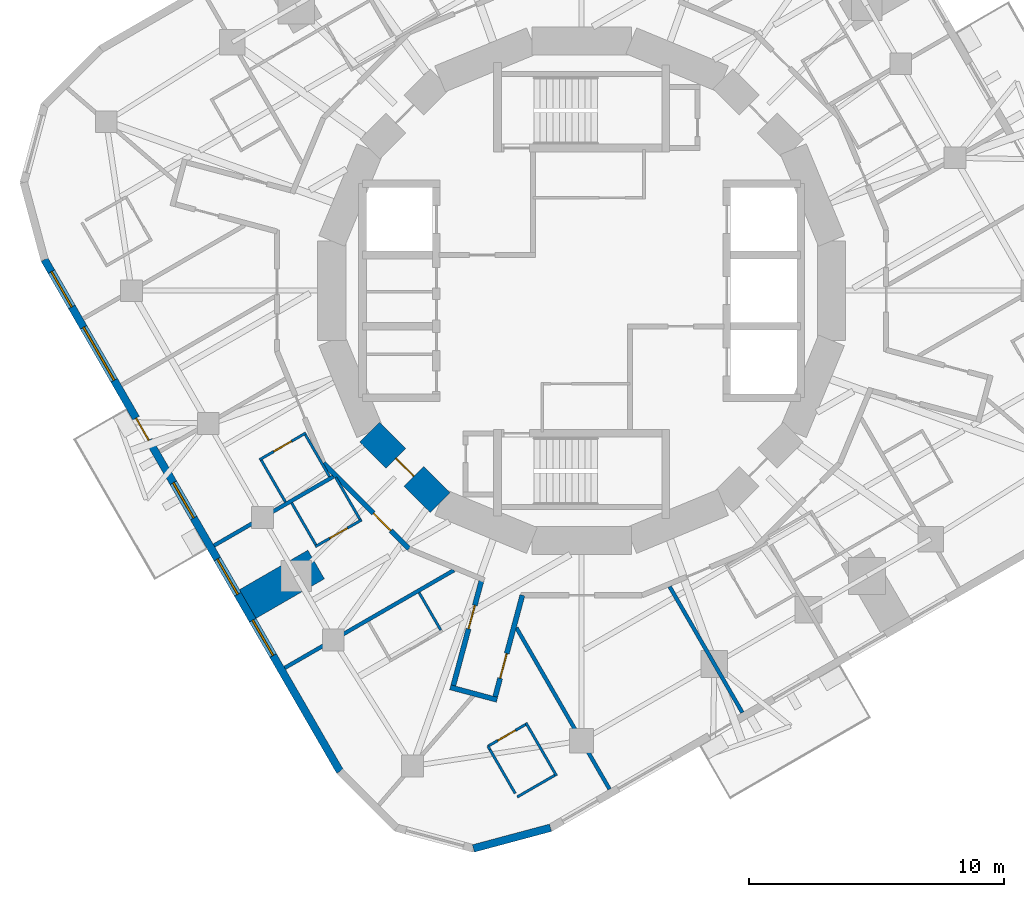
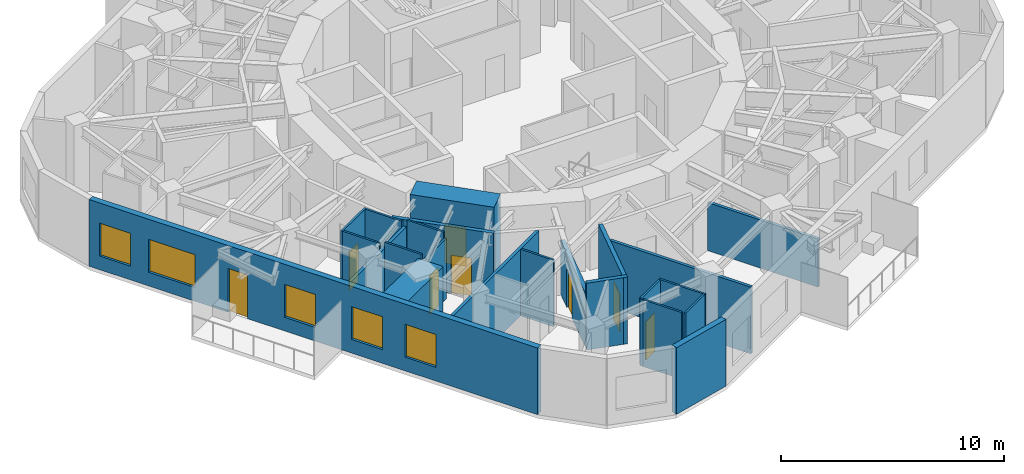
# One storey, part 4 of 12: 24 walls, 8 doors, 5 windows, 13 openings.
"""IFC4 building model written with IfcOpenShell, lengths in metres."""

from ifc_helpers import new_model, si_unit, direction, frame, frame_2d, origin, place, context, subcontext, project, spatial, rectangle, extrude, material, layer, layer_set, type_object, element, fill, save


model = new_model("IFC4")

# Units and contexts
model_context = context("Model", 3, precision=1e-05, world=origin(), true_north=direction((0.0, 1.0)))
body_context = subcontext(model_context, "Body", "Model", "MODEL_VIEW")
ifc_project = project(units=[si_unit("LENGTHUNIT", "METRE"), si_unit("AREAUNIT", "SQUARE_METRE"), si_unit("VOLUMEUNIT", "CUBIC_METRE"), si_unit("PLANEANGLEUNIT", "RADIAN"), si_unit("MASSUNIT", "GRAM", prefix="KILO")], contexts=[model_context])

# Site, building, storey
site_placement = place(None, origin())
site = spatial("IfcSite", under=ifc_project, at=site_placement, CompositionType="ELEMENT")
building_placement = place(site_placement, origin())
building = spatial("IfcBuilding", under=site, at=building_placement, Name="Nakasero Lantern House", CompositionType="ELEMENT")
storey_placement = place(building_placement, frame((0.0, 0.0, 226.949951171875)))
storey = spatial("IfcBuildingStorey", under=building, at=storey_placement, Name="L55", CompositionType="ELEMENT", Elevation=226.949951171875)

# Wall
ifc_material_1 = material(Name="Blockwork", Category="masonry")
ifc_layer_1 = layer(ifc_material_1, 1.300048828125)
ifc_layer_set_1 = layer_set([ifc_layer_1], Name="Column pier 1300")
wall_type_1 = type_object("IfcWallType", Name="Column pier 1300", PredefinedType="PARTITIONING", material=ifc_layer_set_1)
wall_1_placement = place(storey_placement, frame((-10.4208984375, -10.75048828125, 0.0), z_axis=(0.0, 0.0, 1.0), x_axis=(-0.866063626216, -0.499933790963, 0.0)))
element("IfcWall", 1, at=wall_1_placement, inside=storey, type_object=wall_type_1, Name="Column pier L55 PN2-05", PredefinedType="PARTITIONING", context=body_context, shape_type="SweptSolid", body=[
    extrude(rectangle(XDim=3.10009765625, YDim=1.300048828125, at=frame_2d((1.550048828125, 0.0))), origin(), (0.0, 0.0, 1.0), 3.650146484375),
])

# Wall, opening, door
ifc_material_2 = material(Name="Concrete C50/60", Category="concrete")
ifc_layer_2 = layer(ifc_material_2, 1.10009765625)
ifc_layer_set_2 = layer_set([ifc_layer_2], Name="Core wall 1100")
wall_type_2 = type_object("IfcWallType", Name="Core wall 1100", PredefinedType="SHEAR", material=ifc_layer_set_2)
wall_2_placement = place(storey_placement, frame((-8.314697265625, -5.5556640625, 0.0), z_axis=(0.0, 0.0, 1.0), x_axis=(0.707106781187, -0.707106781187, 0.0)))
wall_2 = element("IfcWall", 2, at=wall_2_placement, inside=storey, type_object=wall_type_2, Name="Core wall L55 facet 10", PredefinedType="SHEAR", context=body_context, shape_type="SweptSolid", body=[
    extrude(rectangle(XDim=3.90185546875, YDim=1.10009765625, at=frame_2d((1.950927734375, 0.0))), origin(), (0.0, 0.0, 1.0), 3.85009765625),
])
opening_1_placement = place(wall_2_placement, frame((1.450927734375, 0.0, 0.0)))
opening_1 = element("IfcOpeningElement", 3, at=opening_1_placement, cuts=wall_2, Name="Opening D05", PredefinedType="OPENING", context=body_context, shape_type="SweptSolid", body=[
    extrude(rectangle(XDim=1.0, YDim=2.10009765625, at=frame_2d((0.5, 1.050048828125))), frame((0.0, 0.570068359375, 0.0), z_axis=(0.0, -1.0, 0.0), x_axis=(1.0, 0.0, 0.0)), (0.0, 0.0, 1.0), 1.14013671875),
])
ifc_material_3 = material(Name="Timber C24", Category="wood")
door_type_1 = type_object("IfcDoorType", Name="Core door FD60S 1000", OperationType="SINGLE_SWING_LEFT", PredefinedType="DOOR", material=ifc_material_3)
door_1_placement = place(opening_1_placement, origin())
door_1 = element("IfcDoor", 4, at=door_1_placement, inside=storey, type_object=door_type_1, Name="Door L55 D-CORE10", OperationType="SINGLE_SWING_LEFT", OverallHeight=2.10009765625, OverallWidth=1.0, PredefinedType="DOOR", context=body_context, shape_type="SweptSolid", body=[
    extrude(rectangle(XDim=1.0, YDim=2.10009765625, at=frame_2d((0.5, 1.050048828125))), frame((0.0, 0.02490234375, 0.0), z_axis=(0.0, -1.0, 0.0), x_axis=(1.0, 0.0, 0.0)), (0.0, 0.0, 1.0), 0.050048828125),
])
fill(opening_1, door_1)

ifc_material_4 = material(Name="Blockwork", Category="masonry")
ifc_layer_3 = layer(ifc_material_4, 0.199951171875)
ifc_layer_set_3 = layer_set([ifc_layer_3], Name="Corridor wall 200")
wall_type_3 = type_object("IfcWallType", Name="Corridor wall 200", PredefinedType="PARTITIONING", material=ifc_layer_set_3)
wall_3_placement = place(storey_placement, frame((-6.773681640625, -10.137451171875, 0.0), z_axis=(0.0, 0.0, 1.0), x_axis=(-0.707106781187, 0.707106781187, 0.0)))
wall_3 = element("IfcWall", 5, at=wall_3_placement, inside=storey, type_object=wall_type_3, Name="Corridor wall L55 RC06a", PredefinedType="PARTITIONING", context=body_context, shape_type="SweptSolid", body=[
    extrude(rectangle(XDim=4.757080078125, YDim=0.199951171875, at=frame_2d((2.37841796875, 0.0))), origin(), (0.0, 0.0, 1.0), 3.650146484375),
])
opening_2_placement = place(wall_3_placement, frame((1.02001953125, 0.0, 0.0)))
opening_2 = element("IfcOpeningElement", 6, at=opening_2_placement, cuts=wall_3, Name="Opening D01", PredefinedType="OPENING", context=body_context, shape_type="SweptSolid", body=[
    extrude(rectangle(XDim=0.949951171875, YDim=2.10009765625, at=frame_2d((0.47509765625, 1.050048828125))), frame((0.0, 0.119873046875, 0.0), z_axis=(0.0, -1.0, 0.0), x_axis=(1.0, 0.0, 0.0)), (0.0, 0.0, 1.0), 0.239990234375),
])
ifc_material_5 = material(Name="Timber C24", Category="wood")
door_type_2 = type_object("IfcDoorType", Name="Bedroom door FD30S 950", OperationType="SINGLE_SWING_LEFT", PredefinedType="DOOR", material=ifc_material_5)
door_2_placement = place(opening_2_placement, origin())
door_2 = element("IfcDoor", 7, at=door_2_placement, inside=storey, type_object=door_type_2, Name="Door L55 D2-04", OperationType="SINGLE_SWING_LEFT", OverallHeight=2.10009765625, OverallWidth=0.949951171875, PredefinedType="DOOR", context=body_context, shape_type="SweptSolid", body=[
    extrude(rectangle(XDim=0.949951171875, YDim=2.10009765625, at=frame_2d((0.47509765625, 1.050048828125))), frame((0.0, 0.02490234375, 0.0), z_axis=(0.0, -1.0, 0.0), x_axis=(1.0, 0.0, 0.0)), (0.0, 0.0, 1.0), 0.050048828125),
])
fill(opening_2, door_2)

wall_4_placement = place(storey_placement, frame((-3.913818359375, -11.322021484375, 0.0), z_axis=(0.0, 0.0, 1.0), x_axis=(-0.258777439659, -0.965936973474, 0.0)))
wall_4 = element("IfcWall", 8, at=wall_4_placement, inside=storey, type_object=wall_type_3, Name="Corridor wall L55 SP2a", PredefinedType="PARTITIONING", context=body_context, shape_type="SweptSolid", body=[
    extrude(rectangle(XDim=4.524658203125, YDim=0.199951171875, at=frame_2d((2.26220703125, 0.0))), origin(), (0.0, 0.0, 1.0), 2.95703125),
])
opening_3_placement = place(wall_4_placement, frame((1.070068359375, 0.0, 0.0)))
opening_3 = element("IfcOpeningElement", 9, at=opening_3_placement, cuts=wall_4, Name="Opening D01", PredefinedType="OPENING", context=body_context, shape_type="SweptSolid", body=[
    extrude(rectangle(XDim=0.949951171875, YDim=2.10009765625, at=frame_2d((0.47509765625, 1.050048828125))), frame((0.0, 0.119873046875, 0.0), z_axis=(0.0, -1.0, 0.0), x_axis=(1.0, 0.0, 0.0)), (0.0, 0.0, 1.0), 0.239990234375),
])
door_3_placement = place(opening_3_placement, origin())
door_3 = element("IfcDoor", 10, at=door_3_placement, inside=storey, type_object=door_type_2, Name="Door L55 D2-06", OperationType="SINGLE_SWING_LEFT", OverallHeight=2.10009765625, OverallWidth=0.949951171875, PredefinedType="DOOR", context=body_context, shape_type="SweptSolid", body=[
    extrude(rectangle(XDim=0.949951171875, YDim=2.10009765625, at=frame_2d((0.47509765625, 1.050048828125))), frame((0.0, 0.02490234375, 0.0), z_axis=(0.0, -1.0, 0.0), x_axis=(1.0, 0.0, 0.0)), (0.0, 0.0, 1.0), 0.050048828125),
])
fill(opening_3, door_3)

wall_5_placement = place(storey_placement, frame((-2.32421875, -11.957763671875, 0.0), z_axis=(0.0, 0.0, 1.0), x_axis=(-0.258769967576, -0.965938975236, 0.0)))
wall_5 = element("IfcWall", 11, at=wall_5_placement, inside=storey, type_object=wall_type_3, Name="Corridor wall L55 SP2b", PredefinedType="PARTITIONING", context=body_context, shape_type="SweptSolid", body=[
    extrude(rectangle(XDim=4.322021484375, YDim=0.199951171875, at=frame_2d((2.1611328125, 0.0))), origin(), (0.0, 0.0, 1.0), 3.650146484375),
])
opening_4_placement = place(wall_5_placement, frame((2.3701171875, 0.0, 0.0)))
opening_4 = element("IfcOpeningElement", 12, at=opening_4_placement, cuts=wall_5, Name="Opening D07", PredefinedType="OPENING", context=body_context, shape_type="SweptSolid", body=[
    extrude(rectangle(XDim=1.0, YDim=2.10009765625, at=frame_2d((0.5, 1.050048828125))), frame((0.0, 0.119873046875, 0.0), z_axis=(0.0, -1.0, 0.0), x_axis=(1.0, 0.0, 0.0)), (0.0, 0.0, 1.0), 0.239990234375),
])
ifc_material_6 = material(Name="Timber C24", Category="wood")
door_type_3 = type_object("IfcDoorType", Name="Room door FD30S 1000", OperationType="SINGLE_SWING_LEFT", PredefinedType="DOOR", material=ifc_material_6)
door_4_placement = place(opening_4_placement, origin())
door_4 = element("IfcDoor", 13, at=door_4_placement, inside=storey, type_object=door_type_3, Name="Door L55 D3-00", OperationType="SINGLE_SWING_RIGHT", OverallHeight=2.10009765625, OverallWidth=1.0, PredefinedType="DOOR", context=body_context, shape_type="SweptSolid", body=[
    extrude(rectangle(XDim=1.0, YDim=2.10009765625, at=frame_2d((0.5, 1.050048828125))), frame((0.0, 0.02490234375, 0.0), z_axis=(0.0, -1.0, 0.0), x_axis=(1.0, 0.0, 0.0)), (0.0, 0.0, 1.0), 0.050048828125),
])
fill(opening_4, door_4)

# Wall
wall_6_placement = place(storey_placement, frame((-5.155517578125, -15.570068359375, 0.0), z_axis=(0.0, 0.0, 1.0), x_axis=(0.96593141835, -0.258798174346, 0.0)))
element("IfcWall", 14, at=wall_6_placement, inside=storey, type_object=wall_type_3, Name="Corridor wall L55 SP2e", PredefinedType="PARTITIONING", context=body_context, shape_type="SweptSolid", body=[
    extrude(rectangle(XDim=1.89990234375, YDim=0.199951171875, at=frame_2d((0.949951171875, 0.0))), origin(), (0.0, 0.0, 1.0), 3.650146484375),
])

# Wall, opening, door
ifc_material_7 = material(Name="Blockwork", Category="masonry")
ifc_layer_4 = layer(ifc_material_7, 0.10009765625)
ifc_layer_set_4 = layer_set([ifc_layer_4], Name="En-suite wall 100")
wall_type_4 = type_object("IfcWallType", Name="En-suite wall 100", PredefinedType="PARTITIONING", material=ifc_layer_set_4)
wall_7_placement = place(storey_placement, frame((-10.82470703125, -5.586669921875, 0.0), z_axis=(0.0, 0.0, 1.0), x_axis=(-0.866009402589, -0.500027713859, 0.0)))
wall_7 = element("IfcWall", 15, at=wall_7_placement, inside=storey, type_object=wall_type_4, Name="En-suite wall L55 ES2-03", PredefinedType="PARTITIONING", context=body_context, shape_type="SweptSolid", body=[
    extrude(rectangle(XDim=2.10009765625, YDim=0.10009765625, at=frame_2d((1.050048828125, 0.0))), origin(), (0.0, 0.0, 1.0), 3.650146484375),
])
opening_5_placement = place(wall_7_placement, frame((0.64990234375, 0.0, 0.0)))
opening_5 = element("IfcOpeningElement", 16, at=opening_5_placement, cuts=wall_7, Name="Opening D02", PredefinedType="OPENING", context=body_context, shape_type="SweptSolid", body=[
    extrude(rectangle(XDim=0.800048828125, YDim=2.10009765625, at=frame_2d((0.39990234375, 1.050048828125))), frame((0.0, 0.070068359375, 0.0), z_axis=(0.0, -1.0, 0.0), x_axis=(1.0, 0.0, 0.0)), (0.0, 0.0, 1.0), 0.14013671875),
])
ifc_material_8 = material(Name="Timber C24", Category="wood")
door_type_4 = type_object("IfcDoorType", Name="En-suite door 800", OperationType="SINGLE_SWING_RIGHT", PredefinedType="DOOR", material=ifc_material_8)
door_5_placement = place(opening_5_placement, origin())
door_5 = element("IfcDoor", 17, at=door_5_placement, inside=storey, type_object=door_type_4, Name="Door L55 DE2-03", OperationType="SINGLE_SWING_RIGHT", OverallHeight=2.10009765625, OverallWidth=0.800048828125, PredefinedType="DOOR", context=body_context, shape_type="SweptSolid", body=[
    extrude(rectangle(XDim=0.800048828125, YDim=2.10009765625, at=frame_2d((0.39990234375, 1.050048828125))), frame((0.0, 0.02490234375, 0.0), z_axis=(0.0, -1.0, 0.0), x_axis=(1.0, 0.0, 0.0)), (0.0, 0.0, 1.0), 0.050048828125),
])
fill(opening_5, door_5)

# Walls
for number, where, z_axis, x_axis, name in (
    (18, (-12.574951171875, -6.655029296875, 0.0), (0.0, 0.0, 1.0), (0.499967155389, -0.866044365799, 0.0), "En-suite wall L55 EE2-03"),
    (19, (-10.843017578125, -5.655029296875, 0.0), (0.0, 0.0, 1.0), (0.499967155389, -0.866044365799, 0.0), "En-suite wall L55 EI2-03"),
):
    element("IfcWall", number, at=place(storey_placement, frame(where, z_axis=z_axis, x_axis=x_axis)), inside=storey, type_object=wall_type_4, Name=name, PredefinedType="PARTITIONING", context=body_context, shape_type="SweptSolid", body=[
        extrude(rectangle(XDim=1.900146484375, YDim=0.10009765625, at=frame_2d((0.9501953125, 0.0))), origin(), (0.0, 0.0, 1.0), 3.650146484375),
    ])

# Wall, opening, door
wall_8_placement = place(storey_placement, frame((-8.632080078125, -8.997314453125, 0.0), z_axis=(0.0, 0.0, 1.0), x_axis=(-0.866038466041, -0.499977374825, 0.0)))
wall_8 = element("IfcWall", 20, at=wall_8_placement, inside=storey, type_object=wall_type_4, Name="En-suite wall L55 ES2-04", PredefinedType="PARTITIONING", context=body_context, shape_type="SweptSolid", body=[
    extrude(rectangle(XDim=2.10009765625, YDim=0.10009765625, at=frame_2d((1.050048828125, 0.0))), origin(), (0.0, 0.0, 1.0), 3.295166015625),
])
opening_6_placement = place(wall_8_placement, frame((0.64990234375, 0.0, 0.0)))
opening_6 = element("IfcOpeningElement", 21, at=opening_6_placement, cuts=wall_8, Name="Opening D02", PredefinedType="OPENING", context=body_context, shape_type="SweptSolid", body=[
    extrude(rectangle(XDim=0.800048828125, YDim=2.10009765625, at=frame_2d((0.39990234375, 1.050048828125))), frame((0.0, 0.070068359375, 0.0), z_axis=(0.0, -1.0, 0.0), x_axis=(1.0, 0.0, 0.0)), (0.0, 0.0, 1.0), 0.14013671875),
])
door_6_placement = place(opening_6_placement, origin())
door_6 = element("IfcDoor", 22, at=door_6_placement, inside=storey, type_object=door_type_4, Name="Door L55 DE2-04", OperationType="SINGLE_SWING_RIGHT", OverallHeight=2.10009765625, OverallWidth=0.800048828125, PredefinedType="DOOR", context=body_context, shape_type="SweptSolid", body=[
    extrude(rectangle(XDim=0.800048828125, YDim=2.10009765625, at=frame_2d((0.39990234375, 1.050048828125))), frame((0.0, 0.02490234375, 0.0), z_axis=(0.0, -1.0, 0.0), x_axis=(1.0, 0.0, 0.0)), (0.0, 0.0, 1.0), 0.050048828125),
])
fill(opening_6, door_6)

# Walls
for number, where, z_axis, x_axis, name in (
    (23, (-11.382568359375, -8.333740234375, 0.0), (0.0, 0.0, 1.0), (0.500022797313, -0.86601224135, 0.0), "En-suite wall L55 EE2-04"),
    (24, (-9.650390625, -7.333740234375, 0.0), (0.0, 0.0, 1.0), (0.500022797313, -0.86601224135, 0.0), "En-suite wall L55 EI2-04"),
):
    element("IfcWall", number, at=place(storey_placement, frame(where, z_axis=z_axis, x_axis=x_axis)), inside=storey, type_object=wall_type_4, Name=name, PredefinedType="PARTITIONING", context=body_context, shape_type="SweptSolid", body=[
        extrude(rectangle(XDim=1.89990234375, YDim=0.10009765625, at=frame_2d((0.949951171875, 0.0))), origin(), (0.0, 0.0, 1.0), 3.650146484375),
    ])
wall_9_placement = place(storey_placement, frame((-6.37890625, -11.8515625, 0.0), z_axis=(0.0, 0.0, 1.0), x_axis=(0.500062241894, -0.865989465428, 0.0)))
element("IfcWall", 25, at=wall_9_placement, inside=storey, type_object=wall_type_4, Name="En-suite wall L55 EI2-06", PredefinedType="PARTITIONING", context=body_context, shape_type="SweptSolid", body=[
    extrude(rectangle(XDim=1.699951171875, YDim=0.10009765625, at=frame_2d((0.85009765625, 0.0))), origin(), (0.0, 0.0, 1.0), 3.650146484375),
])
wall_10_placement = place(storey_placement, frame((-2.18505859375, -16.96533203125, 0.0), z_axis=(0.0, 0.0, 1.0), x_axis=(0.499957262057, -0.866050077142, 0.0)))
element("IfcWall", 26, at=wall_10_placement, inside=storey, type_object=wall_type_4, Name="En-suite wall L55 ES3-00", PredefinedType="PARTITIONING", context=body_context, shape_type="SweptSolid", body=[
    extrude(rectangle(XDim=2.400146484375, YDim=0.10009765625, at=frame_2d((1.2001953125, 0.0))), origin(), (0.0, 0.0, 1.0), 3.650146484375),
])
wall_11_placement = place(storey_placement, frame((-2.525634765625, -19.87548828125, 0.0), z_axis=(0.0, 0.0, 1.0), x_axis=(0.866087547558, 0.499892348375, 0.0)))
element("IfcWall", 27, at=wall_11_placement, inside=storey, type_object=wall_type_4, Name="En-suite wall L55 EE3-00", PredefinedType="PARTITIONING", context=body_context, shape_type="SweptSolid", body=[
    extrude(rectangle(XDim=1.699951171875, YDim=0.10009765625, at=frame_2d((0.85009765625, 0.0))), origin(), (0.0, 0.0, 1.0), 3.650146484375),
])

# Wall, opening, door
wall_12_placement = place(storey_placement, frame((-3.675537109375, -17.8837890625, 0.0), z_axis=(0.0, 0.0, 1.0), x_axis=(0.865989465428, 0.500062241894, 0.0)))
wall_12 = element("IfcWall", 28, at=wall_12_placement, inside=storey, type_object=wall_type_4, Name="En-suite wall L55 EI3-00", PredefinedType="PARTITIONING", context=body_context, shape_type="SweptSolid", body=[
    extrude(rectangle(XDim=1.699951171875, YDim=0.10009765625, at=frame_2d((0.85009765625, 0.0))), origin(), (0.0, 0.0, 1.0), 3.650146484375),
])
opening_7_placement = place(wall_12_placement, frame((0.449951171875, 0.0, 0.0)))
opening_7 = element("IfcOpeningElement", 29, at=opening_7_placement, cuts=wall_12, Name="Opening D15", PredefinedType="OPENING", context=body_context, shape_type="SweptSolid", body=[
    extrude(rectangle(XDim=0.800048828125, YDim=2.10009765625, at=frame_2d((0.39990234375, 1.050048828125))), frame((0.0, 0.070068359375, 0.0), z_axis=(0.0, -1.0, 0.0), x_axis=(1.0, 0.0, 0.0)), (0.0, 0.0, 1.0), 0.14013671875),
])
ifc_material_9 = material(Name="Timber C24", Category="wood")
door_type_5 = type_object("IfcDoorType", Name="Cleaner's store door FD30S 800", OperationType="SINGLE_SWING_LEFT", PredefinedType="DOOR", material=ifc_material_9)
door_7_placement = place(opening_7_placement, origin())
door_7 = element("IfcDoor", 30, at=door_7_placement, inside=storey, type_object=door_type_5, Name="Door L55 DE3-00", OperationType="SINGLE_SWING_RIGHT", OverallHeight=2.10009765625, OverallWidth=0.800048828125, PredefinedType="DOOR", context=body_context, shape_type="SweptSolid", body=[
    extrude(rectangle(XDim=0.800048828125, YDim=2.10009765625, at=frame_2d((0.39990234375, 1.050048828125))), frame((0.0, 0.02490234375, 0.0), z_axis=(0.0, -1.0, 0.0), x_axis=(1.0, 0.0, 0.0)), (0.0, 0.0, 1.0), 0.050048828125),
])
fill(opening_7, door_7)

# Walls
wall_13_placement = place(storey_placement, frame((-3.595458984375, -18.022216796875, 0.0), z_axis=(0.0, 0.0, 1.0), x_axis=(0.499971491109, -0.866041862775, 0.0)))
element("IfcWall", 31, at=wall_13_placement, inside=storey, type_object=wall_type_4, Name="En-suite wall L55 EX003", PredefinedType="PARTITIONING", context=body_context, shape_type="SweptSolid", body=[
    extrude(rectangle(XDim=1.97998046875, YDim=0.10009765625, at=frame_2d((0.989990234375, 0.0))), origin(), (0.0, 0.0, 1.0), 3.650146484375),
])
wall_14_placement = place(storey_placement, frame((-3.675537109375, -17.8837890625, 0.0), z_axis=(0.0, 0.0, 1.0), x_axis=(0.500735348028, -0.865600433939, 0.0)))
element("IfcWall", 32, at=wall_14_placement, inside=storey, type_object=wall_type_4, Name="En-suite wall L55 EI3-00R0", PredefinedType="PARTITIONING", context=body_context, shape_type="SweptSolid", body=[
    extrude(rectangle(XDim=0.159912109375, YDim=0.10009765625, at=frame_2d((0.080078125, 0.0))), origin(), (0.0, 0.0, 1.0), 3.650146484375),
])

# Wall, openings, door, windows
ifc_material_10 = material(Name="Aluminium rainscreen on blockwork", Category="masonry")
ifc_layer_5 = layer(ifc_material_10, 0.300048828125)
ifc_layer_set_5 = layer_set([ifc_layer_5], Name="Facade wall 300")
wall_type_5 = type_object("IfcWallType", Name="Facade wall 300", PredefinedType="SOLIDWALL", material=ifc_layer_set_5)
wall_15_placement = place(storey_placement, frame((-21.08544921875, 1.220947265625, 0.0), z_axis=(0.0, 0.0, 1.0), x_axis=(0.500003016864, -0.86602366199, 0.0)))
wall_15 = element("IfcWall", 33, at=wall_15_placement, inside=storey, type_object=wall_type_5, Name="Facade wall L55 FW2S", PredefinedType="SOLIDWALL", context=body_context, shape_type="SweptSolid", body=[
    extrude(rectangle(XDim=23.199951171875, YDim=0.300048828125, at=frame_2d((11.60009765625, 0.0))), origin(), (0.0, 0.0, 1.0), 3.650146484375),
])
opening_8_placement = place(wall_15_placement, frame((0.5458984375, 0.0, 0.75)))
opening_8 = element("IfcOpeningElement", 34, at=opening_8_placement, cuts=wall_15, Name="Opening W01", PredefinedType="OPENING", context=body_context, shape_type="SweptSolid", body=[
    extrude(rectangle(XDim=1.60009765625, YDim=1.800048828125, at=frame_2d((0.800048828125, 0.89990234375))), frame((0.0, 0.169921875, 0.0), z_axis=(0.0, -1.0, 0.0), x_axis=(1.0, 0.0, 0.0)), (0.0, 0.0, 1.0), 0.340087890625),
])
opening_9_placement = place(wall_15_placement, frame((10.11767578125, 0.0, 0.75)))
opening_9 = element("IfcOpeningElement", 35, at=opening_9_placement, cuts=wall_15, Name="Opening W01", PredefinedType="OPENING", context=body_context, shape_type="SweptSolid", body=[
    extrude(rectangle(XDim=1.60009765625, YDim=1.800048828125, at=frame_2d((0.800048828125, 0.89990234375))), frame((0.0, 0.169921875, 0.0), z_axis=(0.0, -1.0, 0.0), x_axis=(1.0, 0.0, 0.0)), (0.0, 0.0, 1.0), 0.340087890625),
])
opening_10_placement = place(wall_15_placement, frame((13.5751953125, 0.0, 0.75)))
opening_10 = element("IfcOpeningElement", 36, at=opening_10_placement, cuts=wall_15, Name="Opening W01", PredefinedType="OPENING", context=body_context, shape_type="SweptSolid", body=[
    extrude(rectangle(XDim=1.60009765625, YDim=1.800048828125, at=frame_2d((0.800048828125, 0.89990234375))), frame((0.0, 0.169921875, 0.0), z_axis=(0.0, -1.0, 0.0), x_axis=(1.0, 0.0, 0.0)), (0.0, 0.0, 1.0), 0.340087890625),
])
opening_11_placement = place(wall_15_placement, frame((16.349609375, 0.0, 0.75)))
opening_11 = element("IfcOpeningElement", 37, at=opening_11_placement, cuts=wall_15, Name="Opening W01", PredefinedType="OPENING", context=body_context, shape_type="SweptSolid", body=[
    extrude(rectangle(XDim=1.60009765625, YDim=1.800048828125, at=frame_2d((0.800048828125, 0.89990234375))), frame((0.0, 0.169921875, 0.0), z_axis=(0.0, -1.0, 0.0), x_axis=(1.0, 0.0, 0.0)), (0.0, 0.0, 1.0), 0.340087890625),
])
opening_12_placement = place(wall_15_placement, frame((3.071044921875, 0.0, 0.75)))
opening_12 = element("IfcOpeningElement", 38, at=opening_12_placement, cuts=wall_15, Name="Opening W03", PredefinedType="OPENING", context=body_context, shape_type="SweptSolid", body=[
    extrude(rectangle(XDim=2.39990234375, YDim=1.800048828125, at=frame_2d((1.199951171875, 0.89990234375))), frame((0.0, 0.169921875, 0.0), z_axis=(0.0, -1.0, 0.0), x_axis=(1.0, 0.0, 0.0)), (0.0, 0.0, 1.0), 0.340087890625),
])
opening_13_placement = place(wall_15_placement, frame((7.1904296875, 0.0, 0.0)))
opening_13 = element("IfcOpeningElement", 39, at=opening_13_placement, cuts=wall_15, Name="Opening D04", PredefinedType="OPENING", context=body_context, shape_type="SweptSolid", body=[
    extrude(rectangle(XDim=1.0, YDim=2.39990234375, at=frame_2d((0.5, 1.199951171875))), frame((0.0, 0.169921875, 0.0), z_axis=(0.0, -1.0, 0.0), x_axis=(1.0, 0.0, 0.0)), (0.0, 0.0, 1.0), 0.340087890625),
])
ifc_material_11 = material(Name="Aluminium 6063-T6 and glass", Category="aluminium")
door_type_6 = type_object("IfcDoorType", Name="Balcony door 1000x2400", OperationType="SINGLE_SWING_RIGHT", PredefinedType="DOOR", material=ifc_material_11)
door_8_placement = place(opening_13_placement, origin())
door_8 = element("IfcDoor", 40, at=door_8_placement, inside=storey, type_object=door_type_6, Name="Balcony door L55 DB2", OperationType="SINGLE_SWING_RIGHT", OverallHeight=2.39990234375, OverallWidth=1.0, PredefinedType="DOOR", context=body_context, shape_type="SweptSolid", body=[
    extrude(rectangle(XDim=1.0, YDim=2.39990234375, at=frame_2d((0.5, 1.199951171875))), frame((0.0, 0.02490234375, 0.0), z_axis=(0.0, -1.0, 0.0), x_axis=(1.0, 0.0, 0.0)), (0.0, 0.0, 1.0), 0.050048828125),
])
fill(opening_13, door_8)
ifc_material_12 = material(Name="Aluminium 6063-T6 and glass", Category="aluminium")
window_type_1 = type_object("IfcWindowType", Name="Bedroom window 1600x1800", PartitioningType="SINGLE_PANEL", PredefinedType="WINDOW", material=ifc_material_12)
window_1_placement = place(opening_8_placement, origin())
window_1 = element("IfcWindow", 41, at=window_1_placement, inside=storey, type_object=window_type_1, Name="Window L55 WN2-00", OverallHeight=1.800048828125, OverallWidth=1.60009765625, PartitioningType="SINGLE_PANEL", PredefinedType="WINDOW", context=body_context, shape_type="SweptSolid", body=[
    extrude(rectangle(XDim=1.60009765625, YDim=1.800048828125, at=frame_2d((0.800048828125, 0.89990234375))), frame((0.0, 0.030029296875, 0.0), z_axis=(0.0, -1.0, 0.0), x_axis=(1.0, 0.0, 0.0)), (0.0, 0.0, 1.0), 0.06005859375),
])
fill(opening_8, window_1)
window_2_placement = place(opening_9_placement, origin())
window_2 = element("IfcWindow", 42, at=window_2_placement, inside=storey, type_object=window_type_1, Name="Window L55 WN2-03", OverallHeight=1.800048828125, OverallWidth=1.60009765625, PartitioningType="SINGLE_PANEL", PredefinedType="WINDOW", context=body_context, shape_type="SweptSolid", body=[
    extrude(rectangle(XDim=1.60009765625, YDim=1.800048828125, at=frame_2d((0.800048828125, 0.89990234375))), frame((0.0, 0.030029296875, 0.0), z_axis=(0.0, -1.0, 0.0), x_axis=(1.0, 0.0, 0.0)), (0.0, 0.0, 1.0), 0.06005859375),
])
fill(opening_9, window_2)
window_3_placement = place(opening_10_placement, origin())
window_3 = element("IfcWindow", 43, at=window_3_placement, inside=storey, type_object=window_type_1, Name="Window L55 WN2-04", OverallHeight=1.800048828125, OverallWidth=1.60009765625, PartitioningType="SINGLE_PANEL", PredefinedType="WINDOW", context=body_context, shape_type="SweptSolid", body=[
    extrude(rectangle(XDim=1.60009765625, YDim=1.800048828125, at=frame_2d((0.800048828125, 0.89990234375))), frame((0.0, 0.030029296875, 0.0), z_axis=(0.0, -1.0, 0.0), x_axis=(1.0, 0.0, 0.0)), (0.0, 0.0, 1.0), 0.06005859375),
])
fill(opening_10, window_3)
window_4_placement = place(opening_11_placement, origin())
window_4 = element("IfcWindow", 44, at=window_4_placement, inside=storey, type_object=window_type_1, Name="Window L55 WN2-05", OverallHeight=1.800048828125, OverallWidth=1.60009765625, PartitioningType="SINGLE_PANEL", PredefinedType="WINDOW", context=body_context, shape_type="SweptSolid", body=[
    extrude(rectangle(XDim=1.60009765625, YDim=1.800048828125, at=frame_2d((0.800048828125, 0.89990234375))), frame((0.0, 0.030029296875, 0.0), z_axis=(0.0, -1.0, 0.0), x_axis=(1.0, 0.0, 0.0)), (0.0, 0.0, 1.0), 0.06005859375),
])
fill(opening_11, window_4)
ifc_material_13 = material(Name="Aluminium 6063-T6 and glass", Category="aluminium")
window_type_2 = type_object("IfcWindowType", Name="Lounge window 2400x1800", PartitioningType="SINGLE_PANEL", PredefinedType="WINDOW", material=ifc_material_13)
window_5_placement = place(opening_12_placement, origin())
window_5 = element("IfcWindow", 45, at=window_5_placement, inside=storey, type_object=window_type_2, Name="Window L55 WK2", OverallHeight=1.800048828125, OverallWidth=2.39990234375, PartitioningType="SINGLE_PANEL", PredefinedType="WINDOW", context=body_context, shape_type="SweptSolid", body=[
    extrude(rectangle(XDim=2.39990234375, YDim=1.800048828125, at=frame_2d((1.199951171875, 0.89990234375))), frame((0.0, 0.030029296875, 0.0), z_axis=(0.0, -1.0, 0.0), x_axis=(1.0, 0.0, 0.0)), (0.0, 0.0, 1.0), 0.06005859375),
])
fill(opening_12, window_5)

# Walls
wall_16_placement = place(storey_placement, frame((-4.245849609375, -21.89599609375, 0.0), z_axis=(0.0, 0.0, 1.0), x_axis=(0.96592369199, 0.258827010283, 0.0)))
element("IfcWall", 46, at=wall_16_placement, inside=storey, type_object=wall_type_5, Name="Facade wall L55 FW2C3", PredefinedType="SOLIDWALL", context=body_context, shape_type="SweptSolid", body=[
    extrude(rectangle(XDim=3.131591796875, YDim=0.300048828125, at=frame_2d((1.56591796875, 0.0))), origin(), (0.0, 0.0, 1.0), 3.650146484375),
])
ifc_material_14 = material(Name="Blockwork", Category="masonry")
ifc_layer_6 = layer(ifc_material_14, 0.14990234375)
ifc_layer_set_6 = layer_set([ifc_layer_6], Name="Party wall 150")
wall_type_6 = type_object("IfcWallType", Name="Party wall 150", PredefinedType="PARTITIONING", material=ifc_layer_set_6)
wall_17_placement = place(storey_placement, frame((-9.748779296875, -7.3037109375, 0.0), z_axis=(0.0, 0.0, 1.0), x_axis=(-0.86600807666, -0.500030010259, 0.0)))
element("IfcWall", 47, at=wall_17_placement, inside=storey, type_object=wall_type_6, Name="Party wall L55 PW2-04", PredefinedType="PARTITIONING", context=body_context, shape_type="SweptSolid", body=[
    extrude(rectangle(XDim=5.405517578125, YDim=0.14990234375, at=frame_2d((2.70263671875, 0.0))), origin(), (0.0, 0.0, 1.0), 3.295166015625),
])
wall_18_placement = place(storey_placement, frame((-5.011474609375, -10.9755859375, 0.0), z_axis=(0.0, 0.0, 1.0), x_axis=(-0.866033500054, -0.499985976588, 0.0)))
element("IfcWall", 48, at=wall_18_placement, inside=storey, type_object=wall_type_6, Name="Party wall L55 PW2-06", PredefinedType="PARTITIONING", context=body_context, shape_type="SweptSolid", body=[
    extrude(rectangle(XDim=7.672119140625, YDim=0.14990234375, at=frame_2d((3.8359375, 0.0))), origin(), (0.0, 0.0, 1.0), 3.650146484375),
])
wall_19_placement = place(storey_placement, frame((-2.5615234375, -13.230224609375, 0.0), z_axis=(0.0, 0.0, 1.0), x_axis=(0.500004302036, -0.866022919989, 0.0)))
element("IfcWall", 49, at=wall_19_placement, inside=storey, type_object=wall_type_6, Name="Party wall L55 PW3-01", PredefinedType="PARTITIONING", context=body_context, shape_type="SweptSolid", body=[
    extrude(rectangle(XDim=7.3232421875, YDim=0.14990234375, at=frame_2d((3.66162109375, 0.0))), origin(), (0.0, 0.0, 1.0), 3.650146484375),
])
wall_20_placement = place(storey_placement, frame((3.457275390625, -11.619140625, 0.0), z_axis=(0.0, 0.0, 1.0), x_axis=(0.500002556202, -0.866023927955, 0.0)))
element("IfcWall", 50, at=wall_20_placement, inside=storey, type_object=wall_type_6, Name="Party wall L55 PW3-03", PredefinedType="PARTITIONING", context=body_context, shape_type="SweptSolid", body=[
    extrude(rectangle(XDim=5.708984375, YDim=0.14990234375, at=frame_2d((2.8544921875, 0.0))), origin(), (0.0, 0.0, 1.0), 2.634033203125),
])

save(model, "model.ifc")
